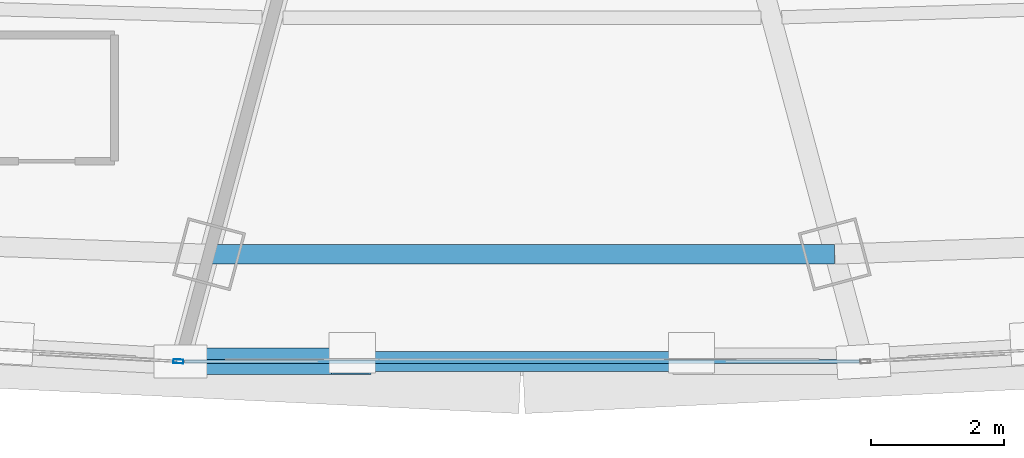
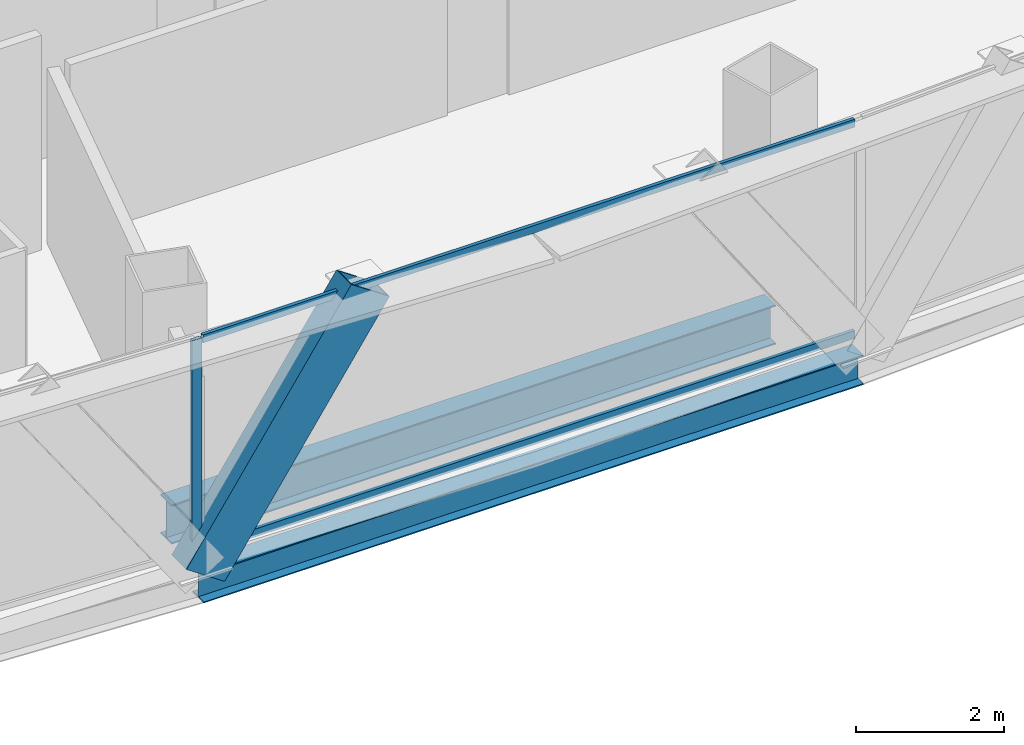
# One storey, part 10 of 37: 4 members, 2 beams, 2 elements without a shape of their own.
"""IFC4 building model written with IfcOpenShell, lengths in metres."""

from ifc_helpers import new_model, si_unit, direction, frame, origin, origin_2d, place, context, subcontext, project, spatial, hollow_rectangle, i_section, extrude, source, transform, mapped, material, layer, layer_set, material_profile, profile_set, type_object, element, aggregate, save


model = new_model("IFC4")

# Units and contexts
model_context = context("Model", 3, precision=1e-05, world=origin(), true_north=direction((0.0, 1.0)))
body_context = subcontext(model_context, "Body", "Model", "MODEL_VIEW")
ifc_project = project(units=[si_unit("LENGTHUNIT", "METRE"), si_unit("AREAUNIT", "SQUARE_METRE"), si_unit("VOLUMEUNIT", "CUBIC_METRE"), si_unit("PLANEANGLEUNIT", "RADIAN"), si_unit("MASSUNIT", "GRAM", prefix="KILO"), si_unit("THERMODYNAMICTEMPERATUREUNIT", "KELVIN"), si_unit("POWERUNIT", "WATT")], contexts=[model_context])

# Site, building, storey
site_placement = place(None, origin())
site = spatial("IfcSite", under=ifc_project, at=site_placement, CompositionType="ELEMENT")
building_placement = place(site_placement, origin())
building = spatial("IfcBuilding", under=site, at=building_placement, Name="Yunzhuo Pagoda Commons", CompositionType="ELEMENT")
storey_placement = place(building_placement, frame((0.0, 0.0, 207.56005859375)))
storey = spatial("IfcBuildingStorey", under=building, at=storey_placement, Name="L52", CompositionType="ELEMENT", Elevation=207.56005859375)

# Beams
ifc_material_1 = material(Name="Structural steel Q355B", Category="steel")
ifc_material_profile_1 = material_profile(ifc_material_1, i_section(OverallWidth=0.300048828125, OverallDepth=0.64990234375, WebThickness=0.012939453125, FlangeThickness=0.02197265625, at=origin_2d()), Name="Structural steel Q355B")
ifc_profile_set_1 = profile_set([ifc_material_profile_1], Name="Structural steel Q355B")
beam_type_1 = type_object("IfcBeamType", Name="B-RG2 Beam HN 650x300x13x22", PredefinedType="BEAM", material=ifc_profile_set_1)
shared_shape_1 = source(origin(), body_context, "Body", "SweptSolid", [
    extrude(i_section(OverallWidth=0.300048828125, OverallDepth=0.64990234375, WebThickness=0.012939453125, FlangeThickness=0.02197265625, at=origin_2d()), origin(), (0.0, 0.0, 1.0), 9.42529296875),
])
beam_1_placement = place(storey_placement, frame((43.28759765625, 16.1123046875, -0.5849609375), z_axis=(1.0, 0.0, 0.0), x_axis=(0.0, 1.0, 0.0)))
element("IfcBeam", 1, at=beam_1_placement, inside=storey, type_object=beam_type_1, Name="L52 column-ring beam 2", PredefinedType="BEAM", context=body_context, shape_type="MappedRepresentation", body=[
    mapped(shared_shape_1, transform((0.0, 0.0, 0.0), scale=1.0)),
])
ifc_material_profile_2 = material_profile(ifc_material_1, i_section(OverallWidth=0.300048828125, OverallDepth=0.488037109375, WebThickness=0.010986328125, FlangeThickness=0.01806640625, at=origin_2d()), Name="Structural steel Q355B")
ifc_profile_set_2 = profile_set([ifc_material_profile_2], Name="Structural steel Q355B")
beam_type_2 = type_object("IfcBeamType", Name="B-SP1 Beam HM 488x300x11x18", PredefinedType="BEAM", material=ifc_profile_set_2)
shared_shape_2 = source(origin(), body_context, "Body", "SweptSolid", [
    extrude(i_section(OverallWidth=0.300048828125, OverallDepth=0.488037109375, WebThickness=0.010986328125, FlangeThickness=0.01806640625, at=origin_2d()), origin(), (0.0, 0.0, 1.0), 10.291015625),
])
beam_2_placement = place(storey_placement, frame((42.8544921875, 14.496826171875, -0.504150390625), z_axis=(1.0, 0.0, 0.0), x_axis=(0.0, 1.0, 0.0)))
element("IfcBeam", 2, at=beam_2_placement, inside=storey, type_object=beam_type_2, Name="L52 facade edge spandrel beam F1.2", PredefinedType="BEAM", context=body_context, shape_type="MappedRepresentation", body=[
    mapped(shared_shape_2, transform((0.0, 0.0, 0.0), scale=1.0)),
])

# Member
ifc_material_profile_3 = material_profile(ifc_material_1, hollow_rectangle(XDim=0.39990234375, YDim=0.719970703125, WallThickness=0.02392578125, at=origin_2d()), Name="Structural steel Q355B")
ifc_profile_set_3 = profile_set([ifc_material_profile_3], Name="Structural steel Q355B")
member_type_1 = type_object("IfcMemberType", Name="M-DL2 Brace BOX 720x400x24", PredefinedType="BRACE", material=ifc_profile_set_3)
shared_shape_3 = source(origin(), body_context, "Body", "SweptSolid", [
    extrude(hollow_rectangle(XDim=0.39990234375, YDim=0.719970703125, WallThickness=0.02392578125, at=origin_2d()), origin(), (0.0, 0.0, 1.0), 4.589111328125),
])
member_1_placement = place(storey_placement, frame((42.8544921875, 14.496826171875, -0.260009765625), z_axis=(0.560628151048, 0.0, 0.828067676131), x_axis=(0.0, 1.0, 0.0)))
element("IfcMember", 3, at=member_1_placement, inside=storey, type_object=member_type_1, Name="L52 facade diamond brace F1.2L", PredefinedType="BRACE", context=body_context, shape_type="MappedRepresentation", body=[
    mapped(shared_shape_3, transform((0.0, 0.0, 0.0), scale=1.0)),
])

# Curtain wall, member
ifc_material_2 = material(Name="Anodized aluminium 6063-T6", Category="aluminium")
ifc_layer = layer(ifc_material_2, 0.14990234375)
ifc_layer_set = layer_set([ifc_layer], Name="Anodized aluminium 6063-T6")
curtain_wall_type = type_object("IfcCurtainWallType", Name="CW-MID Mid-Zone Ribbon Curtain Wall", PredefinedType="NOTDEFINED", material=ifc_layer_set)
curtain_wall_1_placement = place(storey_placement, origin())
curtain_wall_1 = element("IfcCurtainWall", 4, at=curtain_wall_1_placement, inside=storey, type_object=curtain_wall_type, Name="L52 curtain wall CW-L52-F1B2", PredefinedType="NOTDEFINED")
ifc_material_profile_4 = material_profile(ifc_material_2, hollow_rectangle(XDim=0.06005859375, YDim=0.14990234375, WallThickness=0.00390625, at=origin_2d()), Name="Anodized aluminium 6063-T6")
ifc_profile_set_4 = profile_set([ifc_material_profile_4], Name="Anodized aluminium 6063-T6")
member_type_2 = type_object("IfcMemberType", Name="CW-MID-M Mullion RHS 150x60x4", PredefinedType="MULLION", material=ifc_profile_set_4)
shared_shape_4 = source(origin(), body_context, "Body", "SweptSolid", [
    extrude(hollow_rectangle(XDim=0.06005859375, YDim=0.14990234375, WallThickness=0.00390625, at=origin_2d()), origin(), (0.0, 0.0, 1.0), 3.5400390625),
])
member_2_placement = place(storey_placement, frame((42.824462890625, 14.49853515625, 0.0), z_axis=(0.0, 0.0, 1.0), x_axis=(0.055819443993, 0.998440879408, 0.0)))
member_2 = element("IfcMember", 5, at=member_2_placement, type_object=member_type_2, Name="CW mullion 2", PredefinedType="MULLION", context=body_context, shape_type="MappedRepresentation", body=[
    mapped(shared_shape_4, transform((0.0, 0.0, 0.0), scale=1.0)),
])
aggregate(curtain_wall_1, [member_2])

# Curtain wall, members
curtain_wall_2_placement = place(storey_placement, origin())
curtain_wall_2 = element("IfcCurtainWall", 6, at=curtain_wall_2_placement, inside=storey, type_object=curtain_wall_type, Name="L52 curtain wall CW-L52-F1B3", PredefinedType="NOTDEFINED")
ifc_material_profile_5 = material_profile(ifc_material_2, hollow_rectangle(XDim=0.054931640625, YDim=0.1298828125, WallThickness=0.00341796875, at=origin_2d()), Name="Anodized aluminium 6063-T6")
ifc_profile_set_5 = profile_set([ifc_material_profile_5], Name="Anodized aluminium 6063-T6")
member_type_3 = type_object("IfcMemberType", Name="CW-MID-T Transom RHS 130x55x3.5", PredefinedType="USERDEFINED", material=ifc_profile_set_5)
shared_shape_5 = source(origin(), body_context, "Body", "SweptSolid", [
    extrude(hollow_rectangle(XDim=0.054931640625, YDim=0.1298828125, WallThickness=0.00341796875, at=origin_2d()), origin(), (0.0, 0.0, 1.0), 10.1708984375),
])
member_3_placement = place(storey_placement, frame((42.91455078125, 14.496826171875, 0.02734375), z_axis=(1.0, 0.0, 0.0), x_axis=(0.0, 1.0, 0.0)))
member_3 = element("IfcMember", 7, at=member_3_placement, type_object=member_type_3, Name="CW transom 1.1", ObjectType="TRANSOM", PredefinedType="USERDEFINED", context=body_context, shape_type="MappedRepresentation", body=[
    mapped(shared_shape_5, transform((0.0, 0.0, 0.0), scale=1.0)),
])
member_4_placement = place(storey_placement, frame((42.91455078125, 14.496826171875, 3.512451171875), z_axis=(1.0, 0.0, 0.0), x_axis=(0.0, 1.0, 0.0)))
member_4 = element("IfcMember", 8, at=member_4_placement, type_object=member_type_3, Name="CW transom 1.2", ObjectType="TRANSOM", PredefinedType="USERDEFINED", context=body_context, shape_type="MappedRepresentation", body=[
    mapped(shared_shape_5, transform((0.0, 0.0, 0.0), scale=1.0)),
])
aggregate(curtain_wall_2, [member_3, member_4])

save(model, "model.ifc")
